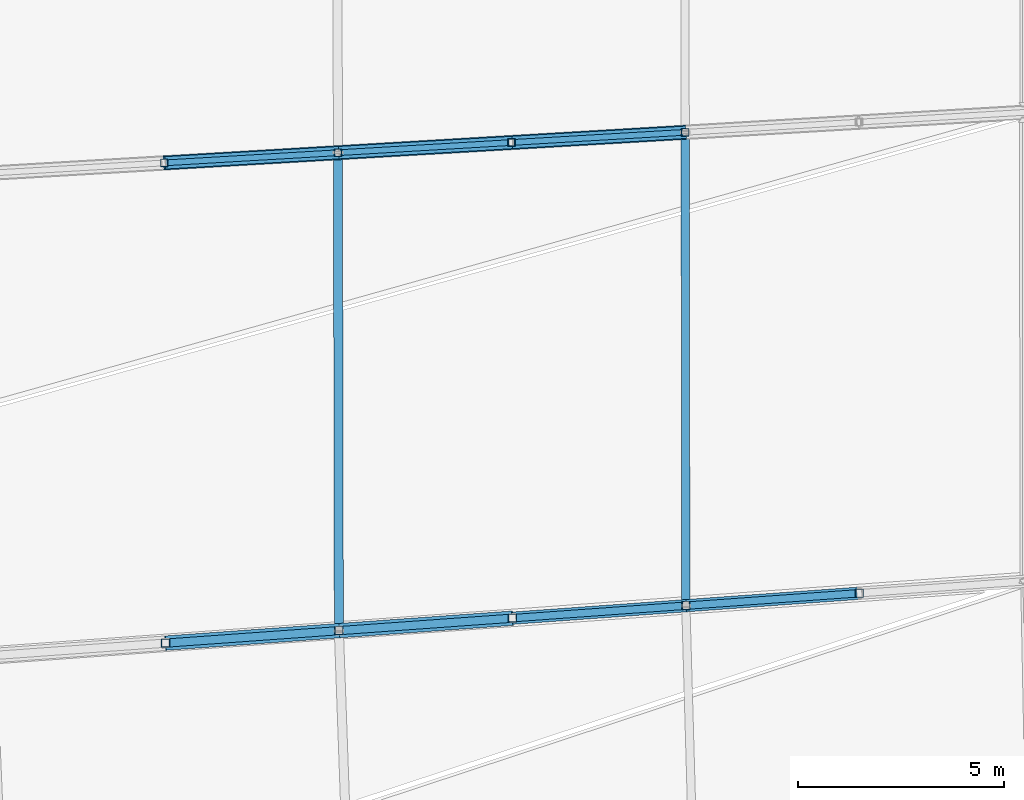
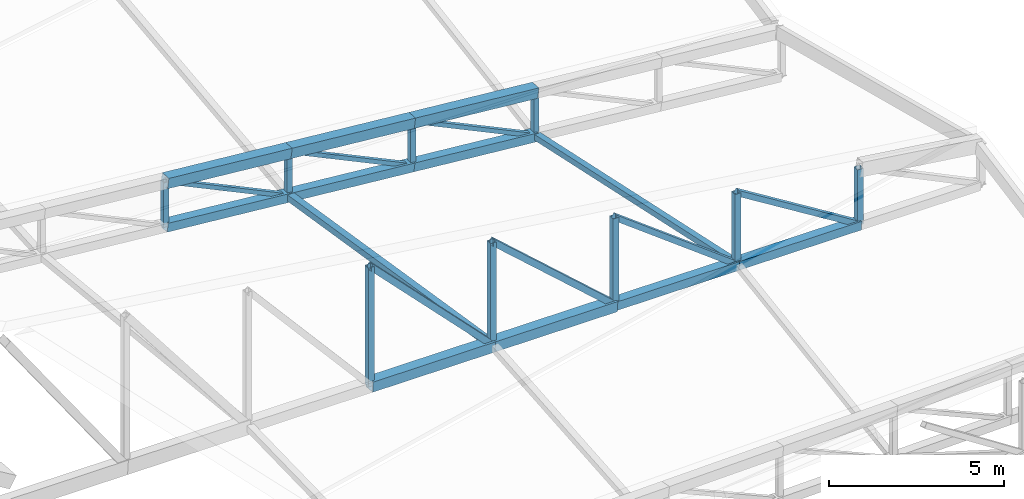
# One storey, part 54 of 344: 28 members.
"""IFC4 building model written with IfcOpenShell, lengths in metres."""

from ifc_helpers import new_model, si_unit, direction, frame, origin, origin_2d, place, context, subcontext, project, spatial, hollow_rectangle, extrude, material, material_profile, profile_set, type_object, element, save


model = new_model("IFC4")

# Units and contexts
model_context = context("Model", 3, precision=1e-05, world=origin(), true_north=direction((0.0, 1.0)))
body_context = subcontext(model_context, "Body", "Model", "MODEL_VIEW")
ifc_project = project(units=[si_unit("LENGTHUNIT", "METRE"), si_unit("AREAUNIT", "SQUARE_METRE"), si_unit("VOLUMEUNIT", "CUBIC_METRE"), si_unit("PLANEANGLEUNIT", "RADIAN"), si_unit("MASSUNIT", "GRAM", prefix="KILO")], contexts=[model_context])

# Site, building, storey
site_placement = place(None, origin())
site = spatial("IfcSite", under=ifc_project, at=site_placement, CompositionType="ELEMENT")
building_placement = place(site_placement, origin())
building = spatial("IfcBuilding", under=site, at=building_placement, Name="Meseta Stadium", CompositionType="ELEMENT")
storey_placement = place(building_placement, frame((0.0, 0.0, 24.0)))
storey = spatial("IfcBuildingStorey", under=building, at=storey_placement, Name="L04", CompositionType="ELEMENT", Elevation=24.0)

# Members
ifc_material_1 = material(Name="Steel S355", Category="steel")
ifc_material_profile_1 = material_profile(ifc_material_1, hollow_rectangle(XDim=0.139892578125, YDim=0.139892578125, WallThickness=0.0048828125, at=origin_2d()), Name="SHS 140x140x5")
ifc_profile_set_1 = profile_set([ifc_material_profile_1], Name="Steel S355")
member_type_1 = type_object("IfcMemberType", Name="SHS 140x140x5 diagonal", PredefinedType="BRACE", material=ifc_profile_set_1)
for number, where, z_axis, x_axis, name in (
    (1, (-55.4208984375, -28.94873046875, 2.7900390625), (-0.891499988097, -0.052362198096, 0.449984412435), (0.05863388944, -0.998279553537, 0.0), "ROOF TRUSS RT-35 diagonal"),
    (2, (-59.6357421875, -29.1962890625, 3.36279296875), (-0.891499988097, -0.052362198096, 0.449984412435), (0.05863388944, -0.998279553537, 0.0), "ROOF TRUSS RT-35 diagonal"),
):
    element("IfcMember", number, at=place(storey_placement, frame(where, z_axis=z_axis, x_axis=x_axis)), inside=storey, type_object=member_type_1, Name=name, PredefinedType="BRACE", context=body_context, shape_type="SweptSolid", body=[
        extrude(hollow_rectangle(XDim=0.139892578125, YDim=0.139892578125, WallThickness=0.0048828125, at=origin_2d()), origin(), (0.0, 0.0, 1.0), 4.727783203125),
    ])
member_1_placement = place(storey_placement, frame((-63.8505859375, -29.44384765625, 3.935791015625), z_axis=(-0.891510585173, -0.052359787626, 0.449963697608), x_axis=(0.058630505001, -0.998279752316, 0.0)))
element("IfcMember", 3, at=member_1_placement, inside=storey, type_object=member_type_1, Name="ROOF TRUSS RT-35 diagonal", PredefinedType="BRACE", context=body_context, shape_type="SweptSolid", body=[
    extrude(hollow_rectangle(XDim=0.139892578125, YDim=0.139892578125, WallThickness=0.0048828125, at=origin_2d()), origin(), (0.0, 0.0, 1.0), 4.72802734375),
])
ifc_material_2 = material(Name="Steel S355", Category="steel")
ifc_material_profile_2 = material_profile(ifc_material_2, hollow_rectangle(XDim=0.179931640625, YDim=0.179931640625, WallThickness=0.00634765625, at=origin_2d()), Name="SHS 180x180x6.3")
ifc_profile_set_2 = profile_set([ifc_material_profile_2], Name="Steel S355")
member_type_2 = type_object("IfcMemberType", Name="SHS 180x180x6.3 diagonal", PredefinedType="BRACE", material=ifc_profile_set_2)
member_2_placement = place(storey_placement, frame((-51.193603515625, -40.13720703125, 5.00830078125), z_axis=(-0.835939275452, -0.060139167585, 0.545517010073), x_axis=(0.07175657498, -0.997422174381, 0.0)))
element("IfcMember", 4, at=member_2_placement, inside=storey, type_object=member_type_2, Name="ROOF TRUSS RT-36 diagonal", PredefinedType="BRACE", context=body_context, shape_type="SweptSolid", body=[
    extrude(hollow_rectangle(XDim=0.179931640625, YDim=0.179931640625, WallThickness=0.00634765625, at=origin_2d()), origin(), (0.0, 0.0, 1.0), 5.037841796875),
])
member_3_placement = place(storey_placement, frame((-55.405029296875, -40.440185546875, 5.26025390625), z_axis=(-0.78615859924, -0.056606700693, 0.615426956086), x_axis=(0.071818240378, -0.997417736131, 0.0)))
element("IfcMember", 5, at=member_3_placement, inside=storey, type_object=member_type_2, Name="ROOF TRUSS RT-36 diagonal", PredefinedType="BRACE", context=body_context, shape_type="SweptSolid", body=[
    extrude(hollow_rectangle(XDim=0.179931640625, YDim=0.179931640625, WallThickness=0.00634765625, at=origin_2d()), origin(), (0.0, 0.0, 1.0), 5.356689453125),
])
ifc_material_3 = material(Name="Steel S355", Category="steel")
ifc_material_profile_3 = material_profile(ifc_material_3, hollow_rectangle(XDim=0.179931640625, YDim=0.179931640625, WallThickness=0.00634765625, at=origin_2d()), Name="SHS 180x180x6.3")
ifc_profile_set_3 = profile_set([ifc_material_profile_3], Name="Steel S355")
member_type_3 = type_object("IfcMemberType", Name="SHS 180x180x6.3 post", PredefinedType="POST", material=ifc_profile_set_3)
member_4_placement = place(storey_placement, frame((-55.4208984375, -28.94873046875, 2.7900390625), z_axis=(0.0, 0.0, 1.0), x_axis=(1.0, 0.0, 0.0)))
element("IfcMember", 6, at=member_4_placement, inside=storey, type_object=member_type_3, Name="ROOF TRUSS RT-35 post", PredefinedType="POST", context=body_context, shape_type="SweptSolid", body=[
    extrude(hollow_rectangle(XDim=0.179931640625, YDim=0.179931640625, WallThickness=0.00634765625, at=origin_2d()), origin(), (0.0, 0.0, 1.0), 1.554443359375),
])
member_5_placement = place(storey_placement, frame((-59.6357421875, -29.1962890625, 3.36279296875), z_axis=(0.0, 0.0, 1.0), x_axis=(1.0, 0.0, 0.0)))
element("IfcMember", 7, at=member_5_placement, inside=storey, type_object=member_type_3, Name="ROOF TRUSS RT-35 post", PredefinedType="POST", context=body_context, shape_type="SweptSolid", body=[
    extrude(hollow_rectangle(XDim=0.179931640625, YDim=0.179931640625, WallThickness=0.00634765625, at=origin_2d()), origin(), (0.0, 0.0, 1.0), 1.5546875),
])
member_6_placement = place(storey_placement, frame((-63.8505859375, -29.44384765625, 3.935791015625), z_axis=(0.0, 0.0, 1.0), x_axis=(1.0, 0.0, 0.0)))
element("IfcMember", 8, at=member_6_placement, inside=storey, type_object=member_type_3, Name="ROOF TRUSS RT-35 post", PredefinedType="POST", context=body_context, shape_type="SweptSolid", body=[
    extrude(hollow_rectangle(XDim=0.179931640625, YDim=0.179931640625, WallThickness=0.00634765625, at=origin_2d()), origin(), (0.0, 0.0, 1.0), 1.554443359375),
])
member_7_placement = place(storey_placement, frame((-68.065673828125, -29.69140625, 4.508544921875), z_axis=(0.0, 0.0, 1.0), x_axis=(1.0, 0.0, 0.0)))
element("IfcMember", 9, at=member_7_placement, inside=storey, type_object=member_type_3, Name="ROOF TRUSS RT-35 post", PredefinedType="POST", context=body_context, shape_type="SweptSolid", body=[
    extrude(hollow_rectangle(XDim=0.179931640625, YDim=0.179931640625, WallThickness=0.00634765625, at=origin_2d()), origin(), (0.0, 0.0, 1.0), 1.5546875),
])
ifc_material_4 = material(Name="Steel S355", Category="steel")
ifc_material_profile_4 = material_profile(ifc_material_4, hollow_rectangle(XDim=0.199951171875, YDim=0.199951171875, WallThickness=0.008056640625, at=origin_2d()), Name="SHS 200x200x8")
ifc_profile_set_4 = profile_set([ifc_material_profile_4], Name="Steel S355")
member_type_4 = type_object("IfcMemberType", Name="SHS 200x200x8 diagonal", PredefinedType="BRACE", material=ifc_profile_set_4)
member_8_placement = place(storey_placement, frame((-59.6162109375, -40.743408203125, 5.512451171875), z_axis=(-0.737487925906, -0.053056377742, 0.673273035198), x_axis=(0.07175657498, -0.997422174381, 0.0)))
element("IfcMember", 10, at=member_8_placement, inside=storey, type_object=member_type_4, Name="ROOF TRUSS RT-36 diagonal", PredefinedType="BRACE", context=body_context, shape_type="SweptSolid", body=[
    extrude(hollow_rectangle(XDim=0.199951171875, YDim=0.199951171875, WallThickness=0.008056640625, at=origin_2d()), origin(), (0.0, 0.0, 1.0), 5.71044921875),
])
member_9_placement = place(storey_placement, frame((-63.82763671875, -41.04638671875, 5.7646484375), z_axis=(-0.691168594021, -0.049726953747, 0.720980724229), x_axis=(0.071760713601, -0.997421876632, 0.0)))
element("IfcMember", 11, at=member_9_placement, inside=storey, type_object=member_type_4, Name="ROOF TRUSS RT-36 diagonal", PredefinedType="BRACE", context=body_context, shape_type="SweptSolid", body=[
    extrude(hollow_rectangle(XDim=0.199951171875, YDim=0.199951171875, WallThickness=0.008056640625, at=origin_2d()), origin(), (0.0, 0.0, 1.0), 6.0927734375),
])
ifc_material_5 = material(Name="Steel S355", Category="steel")
ifc_material_profile_5 = material_profile(ifc_material_5, hollow_rectangle(XDim=0.199951171875, YDim=0.199951171875, WallThickness=0.008056640625, at=origin_2d()), Name="SHS 200x200x8")
ifc_profile_set_5 = profile_set([ifc_material_profile_5], Name="Steel S355")
member_type_5 = type_object("IfcMemberType", Name="SHS 200x200x8 post", PredefinedType="POST", material=ifc_profile_set_5)
member_10_placement = place(storey_placement, frame((-51.193603515625, -40.13720703125, 5.00830078125), z_axis=(0.0, 0.0, 1.0), x_axis=(1.0, 0.0, 0.0)))
element("IfcMember", 12, at=member_10_placement, inside=storey, type_object=member_type_5, Name="ROOF TRUSS RT-36 post", PredefinedType="POST", context=body_context, shape_type="SweptSolid", body=[
    extrude(hollow_rectangle(XDim=0.199951171875, YDim=0.199951171875, WallThickness=0.008056640625, at=origin_2d()), origin(), (0.0, 0.0, 1.0), 1.947998046875),
])
member_11_placement = place(storey_placement, frame((-55.405029296875, -40.440185546875, 5.26025390625), z_axis=(0.0, 0.0, 1.0), x_axis=(1.0, 0.0, 0.0)))
element("IfcMember", 13, at=member_11_placement, inside=storey, type_object=member_type_5, Name="ROOF TRUSS RT-36 post", PredefinedType="POST", context=body_context, shape_type="SweptSolid", body=[
    extrude(hollow_rectangle(XDim=0.199951171875, YDim=0.199951171875, WallThickness=0.008056640625, at=origin_2d()), origin(), (0.0, 0.0, 1.0), 2.496337890625),
])
member_12_placement = place(storey_placement, frame((-59.6162109375, -40.743408203125, 5.512451171875), z_axis=(0.0, 0.0, 1.0), x_axis=(1.0, 0.0, 0.0)))
element("IfcMember", 14, at=member_12_placement, inside=storey, type_object=member_type_5, Name="ROOF TRUSS RT-36 post", PredefinedType="POST", context=body_context, shape_type="SweptSolid", body=[
    extrude(hollow_rectangle(XDim=0.199951171875, YDim=0.199951171875, WallThickness=0.008056640625, at=origin_2d()), origin(), (0.0, 0.0, 1.0), 3.04443359375),
])
member_13_placement = place(storey_placement, frame((-63.82763671875, -41.04638671875, 5.7646484375), z_axis=(0.0, 0.0, 1.0), x_axis=(1.0, 0.0, 0.0)))
element("IfcMember", 15, at=member_13_placement, inside=storey, type_object=member_type_5, Name="ROOF TRUSS RT-36 post", PredefinedType="POST", context=body_context, shape_type="SweptSolid", body=[
    extrude(hollow_rectangle(XDim=0.199951171875, YDim=0.199951171875, WallThickness=0.008056640625, at=origin_2d()), origin(), (0.0, 0.0, 1.0), 3.592529296875),
])
member_14_placement = place(storey_placement, frame((-68.038818359375, -41.349365234375, 6.016845703125), z_axis=(0.0, 0.0, 1.0), x_axis=(1.0, 0.0, 0.0)))
element("IfcMember", 16, at=member_14_placement, inside=storey, type_object=member_type_5, Name="ROOF TRUSS RT-36 post", PredefinedType="POST", context=body_context, shape_type="SweptSolid", body=[
    extrude(hollow_rectangle(XDim=0.199951171875, YDim=0.199951171875, WallThickness=0.008056640625, at=origin_2d()), origin(), (0.0, 0.0, 1.0), 4.140625),
])
ifc_material_6 = material(Name="Steel S355", Category="steel")
ifc_material_profile_6 = material_profile(ifc_material_6, hollow_rectangle(XDim=0.199951171875, YDim=0.199951171875, WallThickness=0.008056640625, at=origin_2d()), Name="SHS 200x200x8")
ifc_profile_set_6 = profile_set([ifc_material_profile_6], Name="Steel S355")
member_type_6 = type_object("IfcMemberType", Name="SHS 200x200x8 strut", PredefinedType="STRUT", material=ifc_profile_set_6)
member_15_placement = place(storey_placement, frame((-55.4208984375, -28.94873046875, 2.7900390625), z_axis=(0.001350109277, -0.977666054928, 0.210160087186), x_axis=(0.999999046488, 0.001380950053, 0.0)))
element("IfcMember", 17, at=member_15_placement, inside=storey, type_object=member_type_6, Name="ROOF TRUSS STRUT RT-35/36", PredefinedType="STRUT", context=body_context, shape_type="SweptSolid", body=[
    extrude(hollow_rectangle(XDim=0.199951171875, YDim=0.199951171875, WallThickness=0.008056640625, at=origin_2d()), origin(), (0.0, 0.0, 1.0), 11.75390625),
])
ifc_material_7 = material(Name="Steel S355", Category="steel")
ifc_material_profile_7 = material_profile(ifc_material_7, hollow_rectangle(XDim=0.219970703125, YDim=0.219970703125, WallThickness=0.008056640625, at=origin_2d()), Name="SHS 220x220x8")
ifc_profile_set_7 = profile_set([ifc_material_profile_7], Name="Steel S355")
member_type_7 = type_object("IfcMemberType", Name="SHS 220x220x8 strut", PredefinedType="STRUT", material=ifc_profile_set_7)
member_16_placement = place(storey_placement, frame((-63.8505859375, -29.44384765625, 3.935791015625), z_axis=(0.001953820972, -0.98780199864, 0.155702903203), x_axis=(0.999998043867, 0.001977944115, 0.0)))
element("IfcMember", 18, at=member_16_placement, inside=storey, type_object=member_type_7, Name="ROOF TRUSS STRUT RT-35/36", PredefinedType="STRUT", context=body_context, shape_type="SweptSolid", body=[
    extrude(hollow_rectangle(XDim=0.219970703125, YDim=0.219970703125, WallThickness=0.008056640625, at=origin_2d()), origin(), (0.0, 0.0, 1.0), 11.745849609375),
])
ifc_material_8 = material(Name="Steel S355", Category="steel")
ifc_material_profile_8 = material_profile(ifc_material_8, hollow_rectangle(XDim=0.300048828125, YDim=0.300048828125, WallThickness=0.010009765625, at=origin_2d()), Name="SHS 300x300x10")
ifc_profile_set_8 = profile_set([ifc_material_profile_8], Name="Steel S355")
member_type_8 = type_object("IfcMemberType", Name="SHS 300x300x10 bottom chord", PredefinedType="CHORD", material=ifc_profile_set_8)
for number, where, z_axis, x_axis, name in (
    (19, (-55.4208984375, -28.94873046875, 2.7900390625), (-0.98921898231, -0.058101717334, 0.1344246833), (0.05863388944, -0.998279553537, 0.0), "ROOF TRUSS RT-35 bottom chord"),
    (20, (-59.6357421875, -29.1962890625, 3.36279296875), (-0.989211361344, -0.058101269718, 0.134480946772), (0.05863388944, -0.998279553537, 0.0), "ROOF TRUSS RT-35 bottom chord"),
):
    element("IfcMember", number, at=place(storey_placement, frame(where, z_axis=z_axis, x_axis=x_axis)), inside=storey, type_object=member_type_8, Name=name, PredefinedType="CHORD", context=body_context, shape_type="SweptSolid", body=[
        extrude(hollow_rectangle(XDim=0.300048828125, YDim=0.300048828125, WallThickness=0.010009765625, at=origin_2d()), origin(), (0.0, 0.0, 1.0), 4.2607421875),
    ])
member_17_placement = place(storey_placement, frame((-63.8505859375, -29.44384765625, 3.935791015625), z_axis=(-0.98922021104, -0.058098424211, 0.134417064298), x_axis=(0.058630505001, -0.998279752316, 0.0)))
element("IfcMember", 21, at=member_17_placement, inside=storey, type_object=member_type_8, Name="ROOF TRUSS RT-35 bottom chord", PredefinedType="CHORD", context=body_context, shape_type="SweptSolid", body=[
    extrude(hollow_rectangle(XDim=0.300048828125, YDim=0.300048828125, WallThickness=0.010009765625, at=origin_2d()), origin(), (0.0, 0.0, 1.0), 4.260986328125),
])
member_18_placement = place(storey_placement, frame((-51.193603515625, -40.13720703125, 5.00830078125), z_axis=(-0.995651126342, -0.071629162191, 0.059565910863), x_axis=(0.07175657498, -0.997422174381, 0.0)))
element("IfcMember", 22, at=member_18_placement, inside=storey, type_object=member_type_8, Name="ROOF TRUSS RT-36 bottom chord", PredefinedType="CHORD", context=body_context, shape_type="SweptSolid", body=[
    extrude(hollow_rectangle(XDim=0.300048828125, YDim=0.300048828125, WallThickness=0.010009765625, at=origin_2d()), origin(), (0.0, 0.0, 1.0), 4.229736328125),
])
member_19_placement = place(storey_placement, frame((-55.405029296875, -40.440185546875, 5.26025390625), z_axis=(-0.995643081767, -0.071690457856, 0.059626604642), x_axis=(0.071818240378, -0.997417736131, 0.0)))
element("IfcMember", 23, at=member_19_placement, inside=storey, type_object=member_type_8, Name="ROOF TRUSS RT-36 bottom chord", PredefinedType="CHORD", context=body_context, shape_type="SweptSolid", body=[
    extrude(hollow_rectangle(XDim=0.300048828125, YDim=0.300048828125, WallThickness=0.010009765625, at=origin_2d()), origin(), (0.0, 0.0, 1.0), 4.2294921875),
])
ifc_material_9 = material(Name="Steel S355", Category="steel")
ifc_material_profile_9 = material_profile(ifc_material_9, hollow_rectangle(XDim=0.35009765625, YDim=0.35009765625, WallThickness=0.010009765625, at=origin_2d()), Name="SHS 350x350x10")
ifc_profile_set_9 = profile_set([ifc_material_profile_9], Name="Steel S355")
member_type_9 = type_object("IfcMemberType", Name="SHS 350x350x10 top chord", PredefinedType="CHORD", material=ifc_profile_set_9)
for number, where, z_axis, x_axis, name in (
    (24, (-55.4208984375, -28.94873046875, 4.344482421875), (-0.989211361344, -0.058101269718, 0.134480946772), (0.05863388944, -0.998279553537, 0.0), "ROOF TRUSS RT-35 top chord"),
    (25, (-59.6357421875, -29.1962890625, 4.91748046875), (-0.98921898231, -0.058101717334, 0.1344246833), (0.05863388944, -0.998279553537, 0.0), "ROOF TRUSS RT-35 top chord"),
):
    element("IfcMember", number, at=place(storey_placement, frame(where, z_axis=z_axis, x_axis=x_axis)), inside=storey, type_object=member_type_9, Name=name, PredefinedType="CHORD", context=body_context, shape_type="SweptSolid", body=[
        extrude(hollow_rectangle(XDim=0.35009765625, YDim=0.35009765625, WallThickness=0.010009765625, at=origin_2d()), origin(), (0.0, 0.0, 1.0), 4.2607421875),
    ])
member_20_placement = place(storey_placement, frame((-63.8505859375, -29.44384765625, 5.490234375), z_axis=(-0.989212590929, -0.05809797667, 0.134473324698), x_axis=(0.058630505001, -0.998279752316, 0.0)))
element("IfcMember", 26, at=member_20_placement, inside=storey, type_object=member_type_9, Name="ROOF TRUSS RT-35 top chord", PredefinedType="CHORD", context=body_context, shape_type="SweptSolid", body=[
    extrude(hollow_rectangle(XDim=0.35009765625, YDim=0.35009765625, WallThickness=0.010009765625, at=origin_2d()), origin(), (0.0, 0.0, 1.0), 4.260986328125),
])
ifc_material_10 = material(Name="Steel S355", Category="steel")
ifc_material_profile_10 = material_profile(ifc_material_10, hollow_rectangle(XDim=0.35009765625, YDim=0.35009765625, WallThickness=0.01416015625, at=origin_2d()), Name="SHS 350x350x14.2")
ifc_profile_set_10 = profile_set([ifc_material_profile_10], Name="Steel S355")
member_type_10 = type_object("IfcMemberType", Name="SHS 350x350x14.2 bottom chord", PredefinedType="CHORD", material=ifc_profile_set_10)
member_21_placement = place(storey_placement, frame((-59.6162109375, -40.743408203125, 5.512451171875), z_axis=(-0.995647701574, -0.071628915806, 0.05962342468), x_axis=(0.07175657498, -0.997422174381, 0.0)))
element("IfcMember", 27, at=member_21_placement, inside=storey, type_object=member_type_10, Name="ROOF TRUSS RT-36 bottom chord", PredefinedType="CHORD", context=body_context, shape_type="SweptSolid", body=[
    extrude(hollow_rectangle(XDim=0.35009765625, YDim=0.35009765625, WallThickness=0.01416015625, at=origin_2d()), origin(), (0.0, 0.0, 1.0), 4.229736328125),
])
member_22_placement = place(storey_placement, frame((-63.82763671875, -41.04638671875, 5.7646484375), z_axis=(-0.995647200206, -0.071633032376, 0.059626851285), x_axis=(0.071760713601, -0.997421876632, 0.0)))
element("IfcMember", 28, at=member_22_placement, inside=storey, type_object=member_type_10, Name="ROOF TRUSS RT-36 bottom chord", PredefinedType="CHORD", context=body_context, shape_type="SweptSolid", body=[
    extrude(hollow_rectangle(XDim=0.35009765625, YDim=0.35009765625, WallThickness=0.01416015625, at=origin_2d()), origin(), (0.0, 0.0, 1.0), 4.2294921875),
])

save(model, "model.ifc")
